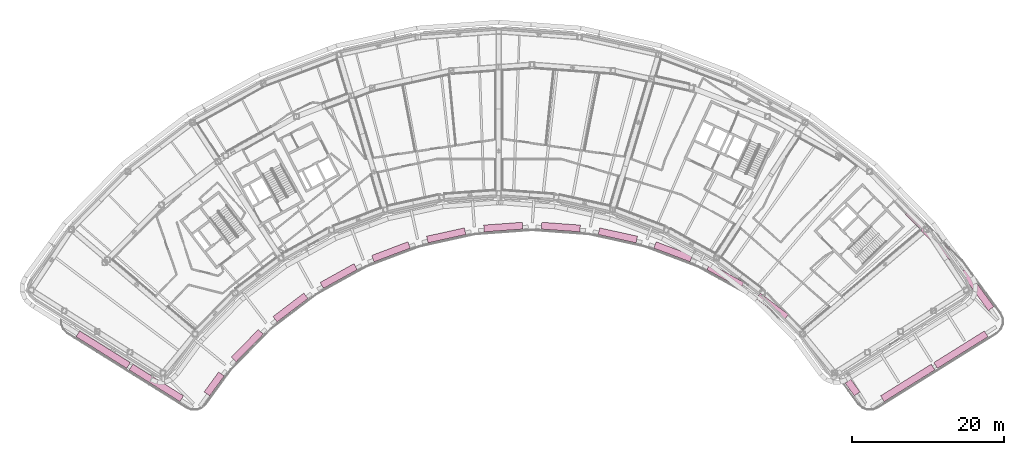
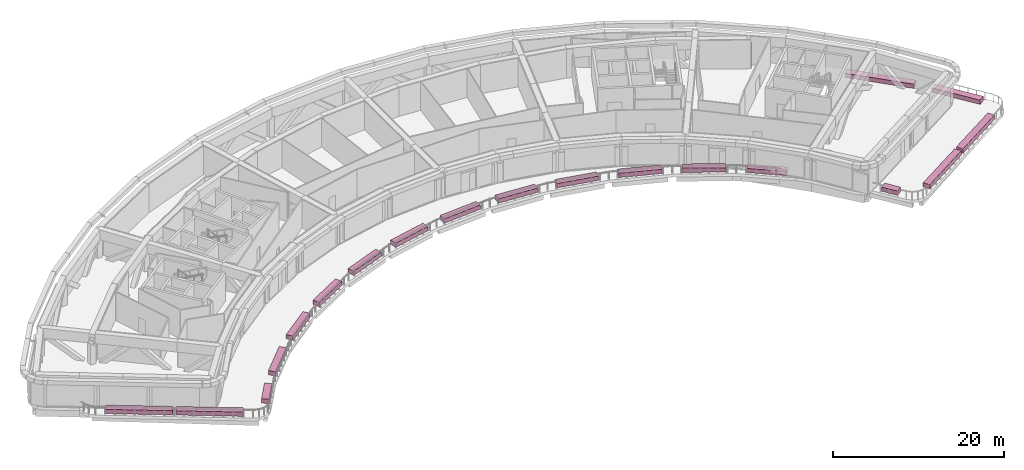
# One storey, part 26 of 26: 19 furnishings.
"""IFC4 building model written with IfcOpenShell, lengths in metres."""

from ifc_helpers import new_model, si_unit, direction, frame, origin, origin_2d, place, context, subcontext, project, spatial, rectangle, extrude, material, type_object, element, save


model = new_model("IFC4")

# Units and contexts
model_context = context("Model", 3, precision=1e-05, world=origin(), true_north=direction((0.0, 1.0)))
body_context = subcontext(model_context, "Body", "Model", "MODEL_VIEW")
ifc_project = project(units=[si_unit("LENGTHUNIT", "METRE"), si_unit("AREAUNIT", "SQUARE_METRE"), si_unit("VOLUMEUNIT", "CUBIC_METRE"), si_unit("PLANEANGLEUNIT", "RADIAN"), si_unit("MASSUNIT", "GRAM", prefix="KILO")], contexts=[model_context])

# Site, building, storey
site_placement = place(None, origin())
site = spatial("IfcSite", under=ifc_project, at=site_placement, CompositionType="ELEMENT")
building_placement = place(site_placement, origin())
building = spatial("IfcBuilding", under=site, at=building_placement, Name="Tuul Gate Civic Tower", CompositionType="ELEMENT")
storey_placement = place(building_placement, frame((0.0, 0.0, 167.60009765625)))
storey = spatial("IfcBuildingStorey", under=building, at=storey_placement, Name="Plant and refuge floor 5", CompositionType="ELEMENT", Elevation=167.60009765625)

# Furnishings
ifc_material = material(Name="Planting soil")
furnishing_element_type = type_object("IfcFurnishingElementType", Name="Planter", material=ifc_material)
furnishing_1_placement = place(storey_placement, frame((47.6572265625, -33.369140625, -0.000244140625), z_axis=(0.0, 0.0, 1.0), x_axis=(0.589803348113, -0.807546909198, 0.0)))
element("IfcFurnishingElement", 1, at=furnishing_1_placement, inside=storey, type_object=furnishing_element_type, Name="Planter", context=body_context, shape_type="SweptSolid", body=[
    extrude(rectangle(XDim=2.055419921875, YDim=0.89990234375, at=origin_2d()), origin(), (0.0, 0.0, 1.0), 0.60009765625),
])
for number, where, z_axis, x_axis, name in (
    (2, (54.9326171875, -32.75537109375, -0.000244140625), (0.0, 0.0, 1.0), (0.848052818366, 0.529911707044, 0.0), "Planter"),
    (3, (61.949462890625, -28.370849609375, -0.000244140625), (0.0, 0.0, 1.0), (0.848052818366, 0.529911707044, 0.0), "Planter"),
):
    element("IfcFurnishingElement", number, at=place(storey_placement, frame(where, z_axis=z_axis, x_axis=x_axis)), inside=storey, type_object=furnishing_element_type, Name=name, context=body_context, shape_type="SweptSolid", body=[
        extrude(rectangle(XDim=7.874267578125, YDim=0.89990234375, at=origin_2d()), origin(), (0.0, 0.0, 1.0), 0.60009765625),
    ])
furnishing_2_placement = place(storey_placement, frame((64.098876953125, -20.4453125, -0.000244140625), z_axis=(0.0, 0.0, 1.0), x_axis=(-0.58971676251, 0.807610141105, 0.0)))
element("IfcFurnishingElement", 4, at=furnishing_2_placement, inside=storey, type_object=furnishing_element_type, Name="Planter", context=body_context, shape_type="SweptSolid", body=[
    extrude(rectangle(XDim=6.21435546875, YDim=0.89990234375, at=origin_2d()), origin(), (0.0, 0.0, 1.0), 0.60009765625),
])
furnishing_3_placement = place(storey_placement, frame((57.8662109375, -13.21142578125, -0.000244140625), z_axis=(0.0, 0.0, 1.0), x_axis=(-0.700011034438, 0.714132026775, 0.0)))
element("IfcFurnishingElement", 5, at=furnishing_3_placement, inside=storey, type_object=furnishing_element_type, Name="Planter", context=body_context, shape_type="SweptSolid", body=[
    extrude(rectangle(XDim=8.364013671875, YDim=0.89990234375, at=origin_2d()), origin(), (0.0, 0.0, 1.0), 0.60009765625),
])
for number, where, z_axis, x_axis, name in (
    (6, (-51.20166015625, -28.370849609375, -0.000244140625), (0.0, 0.0, 1.0), (0.848052818366, -0.529911707044, 0.0), "Planter"),
    (7, (-44.1845703125, -32.75537109375, -0.000244140625), (0.0, 0.0, 1.0), (0.848052818366, -0.529911707044, 0.0), "Planter"),
):
    element("IfcFurnishingElement", number, at=place(storey_placement, frame(where, z_axis=z_axis, x_axis=x_axis)), inside=storey, type_object=furnishing_element_type, Name=name, context=body_context, shape_type="SweptSolid", body=[
        extrude(rectangle(XDim=7.874267578125, YDim=0.89990234375, at=origin_2d()), origin(), (0.0, 0.0, 1.0), 0.60009765625),
    ])
furnishing_4_placement = place(storey_placement, frame((-36.55859375, -32.88916015625, -0.000244140625), z_axis=(0.0, 0.0, 1.0), x_axis=(0.589803348113, 0.807546909198, 0.0)))
element("IfcFurnishingElement", 8, at=furnishing_4_placement, inside=storey, type_object=furnishing_element_type, Name="Planter", context=body_context, shape_type="SweptSolid", body=[
    extrude(rectangle(XDim=3.244140625, YDim=0.89990234375, at=origin_2d()), origin(), (0.0, 0.0, 1.0), 0.60009765625),
])
furnishing_5_placement = place(storey_placement, frame((-32.19287109375, -27.842041015625, -0.000244140625), z_axis=(0.0, 0.0, 1.0), x_axis=(0.699942176008, 0.714199517113, 0.0)))
element("IfcFurnishingElement", 9, at=furnishing_5_placement, inside=storey, type_object=furnishing_element_type, Name="Planter", context=body_context, shape_type="SweptSolid", body=[
    extrude(rectangle(XDim=5.10498046875, YDim=0.89990234375, at=origin_2d()), origin(), (0.0, 0.0, 1.0), 0.60009765625),
])
furnishing_6_placement = place(storey_placement, frame((-26.494140625, -22.8125, -0.000244140625), z_axis=(0.0, 0.0, 1.0), x_axis=(0.79564579074, 0.605762144474, 0.0)))
element("IfcFurnishingElement", 10, at=furnishing_6_placement, inside=storey, type_object=furnishing_element_type, Name="Planter", context=body_context, shape_type="SweptSolid", body=[
    extrude(rectangle(XDim=5.1044921875, YDim=0.89990234375, at=origin_2d()), origin(), (0.0, 0.0, 1.0), 0.60009765625),
])
furnishing_7_placement = place(storey_placement, frame((-20.1298828125, -18.6572265625, -0.000244140625), z_axis=(0.0, 0.0, 1.0), x_axis=(0.874647086822, 0.484760222702, 0.0)))
element("IfcFurnishingElement", 11, at=furnishing_7_placement, inside=storey, type_object=furnishing_element_type, Name="Planter", context=body_context, shape_type="SweptSolid", body=[
    extrude(rectangle(XDim=5.104736328125, YDim=0.89990234375, at=origin_2d()), origin(), (0.0, 0.0, 1.0), 0.60009765625),
])
furnishing_8_placement = place(storey_placement, frame((-13.23291015625, -15.462158203125, -0.000244140625), z_axis=(0.0, 0.0, 1.0), x_axis=(0.935339882985, 0.353750340351, 0.0)))
element("IfcFurnishingElement", 12, at=furnishing_8_placement, inside=storey, type_object=furnishing_element_type, Name="Planter", context=body_context, shape_type="SweptSolid", body=[
    extrude(rectangle(XDim=5.105224609375, YDim=0.89990234375, at=origin_2d()), origin(), (0.0, 0.0, 1.0), 0.60009765625),
])
furnishing_9_placement = place(storey_placement, frame((-5.94775390625, -13.294189453125, -0.000244140625), z_axis=(0.0, 0.0, 1.0), x_axis=(0.976571151758, 0.21519476191, 0.0)))
element("IfcFurnishingElement", 13, at=furnishing_9_placement, inside=storey, type_object=furnishing_element_type, Name="Planter", context=body_context, shape_type="SweptSolid", body=[
    extrude(rectangle(XDim=5.104736328125, YDim=0.89990234375, at=origin_2d()), origin(), (0.0, 0.0, 1.0), 0.60009765625),
])
for number, where, z_axis, x_axis, name in (
    (14, (1.57373046875, -12.198974609375, -0.000244140625), (0.0, 0.0, 1.0), (0.997388553299, 0.072222390908, 0.0), "Planter"),
    (15, (9.17431640625, -12.198974609375, -0.000244140625), (0.0, 0.0, 1.0), (0.997388553299, -0.072222390908, 0.0), "Planter"),
):
    element("IfcFurnishingElement", number, at=place(storey_placement, frame(where, z_axis=z_axis, x_axis=x_axis)), inside=storey, type_object=furnishing_element_type, Name=name, context=body_context, shape_type="SweptSolid", body=[
        extrude(rectangle(XDim=5.1044921875, YDim=0.89990234375, at=origin_2d()), origin(), (0.0, 0.0, 1.0), 0.60009765625),
    ])
furnishing_10_placement = place(storey_placement, frame((16.695556640625, -13.294189453125, -0.000244140625), z_axis=(0.0, 0.0, 1.0), x_axis=(0.976571151758, -0.21519476191, 0.0)))
element("IfcFurnishingElement", 16, at=furnishing_10_placement, inside=storey, type_object=furnishing_element_type, Name="Planter", context=body_context, shape_type="SweptSolid", body=[
    extrude(rectangle(XDim=5.104736328125, YDim=0.89990234375, at=origin_2d()), origin(), (0.0, 0.0, 1.0), 0.60009765625),
])
furnishing_11_placement = place(storey_placement, frame((23.98095703125, -15.462158203125, -0.000244140625), z_axis=(0.0, 0.0, 1.0), x_axis=(0.935339882985, -0.353750340351, 0.0)))
element("IfcFurnishingElement", 17, at=furnishing_11_placement, inside=storey, type_object=furnishing_element_type, Name="Planter", context=body_context, shape_type="SweptSolid", body=[
    extrude(rectangle(XDim=5.105224609375, YDim=0.89990234375, at=origin_2d()), origin(), (0.0, 0.0, 1.0), 0.60009765625),
])
furnishing_12_placement = place(storey_placement, frame((30.8779296875, -18.6572265625, -0.000244140625), z_axis=(0.0, 0.0, 1.0), x_axis=(0.874647086822, -0.484760222702, 0.0)))
element("IfcFurnishingElement", 18, at=furnishing_12_placement, inside=storey, type_object=furnishing_element_type, Name="Planter", context=body_context, shape_type="SweptSolid", body=[
    extrude(rectangle(XDim=5.104736328125, YDim=0.89990234375, at=origin_2d()), origin(), (0.0, 0.0, 1.0), 0.60009765625),
])
furnishing_13_placement = place(storey_placement, frame((37.06982421875, -22.68115234375, -0.000244140625), z_axis=(0.0, 0.0, 1.0), x_axis=(0.79564579074, -0.605762144474, 0.0)))
element("IfcFurnishingElement", 19, at=furnishing_13_placement, inside=storey, type_object=furnishing_element_type, Name="Planter", context=body_context, shape_type="SweptSolid", body=[
    extrude(rectangle(XDim=4.67138671875, YDim=0.89990234375, at=origin_2d()), origin(), (0.0, 0.0, 1.0), 0.60009765625),
])

save(model, "model.ifc")
